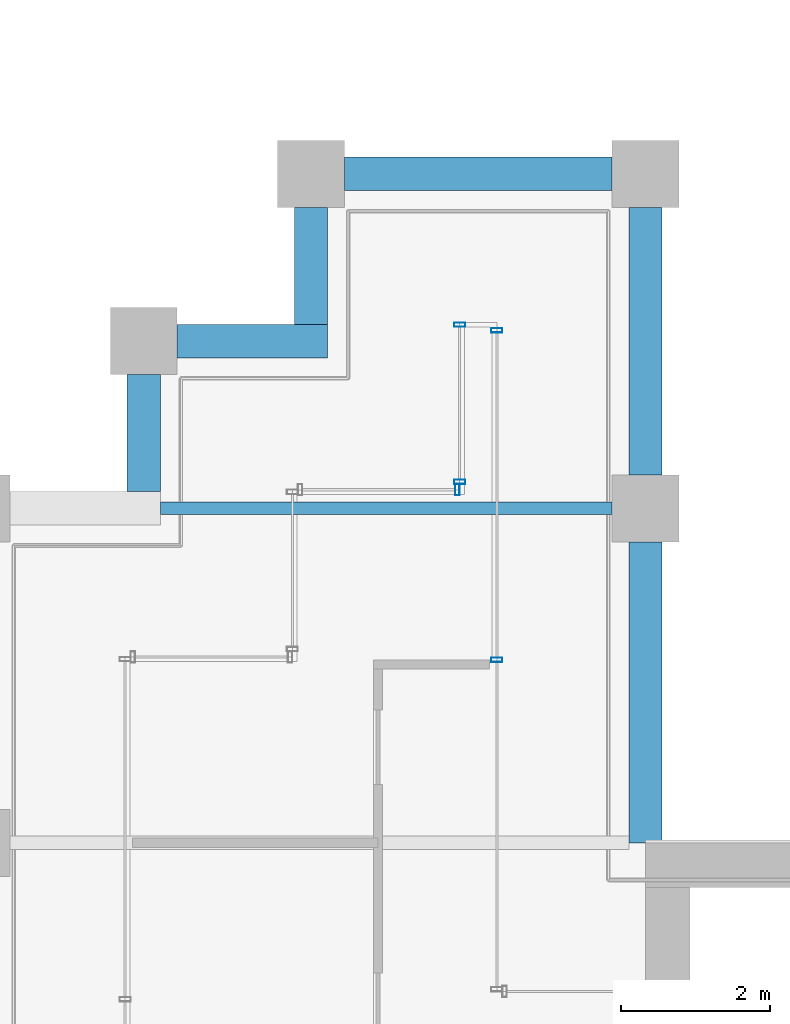
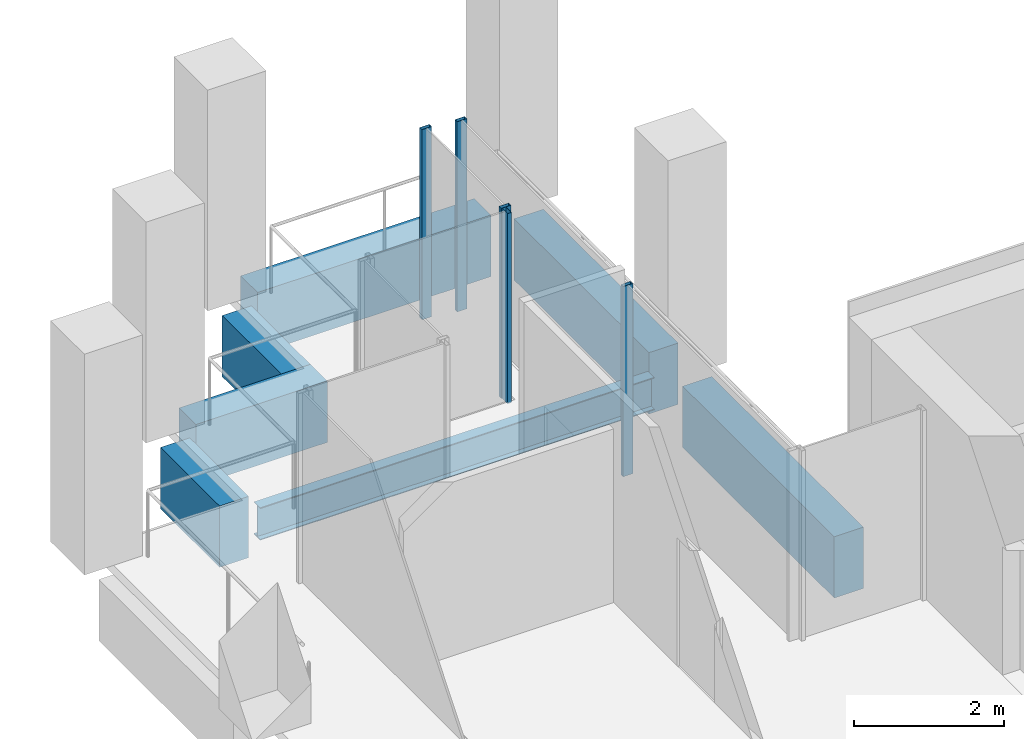
# One storey, part 33 of 40: 7 beams, 5 members, 3 elements without a shape of their own.
"""IFC4 building model written with IfcOpenShell, lengths in metres."""

from ifc_helpers import new_model, si_unit, direction, frame, origin, origin_2d, place, context, subcontext, project, spatial, rectangle, hollow_rectangle, i_section, extrude, material, material_profile, profile_set, type_object, element, aggregate, save


model = new_model("IFC4")

# Units and contexts
model_context = context("Model", 3, precision=1e-05, world=origin(), true_north=direction((0.0, 1.0)))
body_context = subcontext(model_context, "Body", "Model", "MODEL_VIEW")
ifc_project = project(units=[si_unit("LENGTHUNIT", "METRE"), si_unit("AREAUNIT", "SQUARE_METRE"), si_unit("VOLUMEUNIT", "CUBIC_METRE"), si_unit("PLANEANGLEUNIT", "RADIAN"), si_unit("MASSUNIT", "GRAM", prefix="KILO")], contexts=[model_context])

# Site, building, storey
site_placement = place(None, origin())
site = spatial("IfcSite", under=ifc_project, at=site_placement, CompositionType="ELEMENT")
building_placement = place(site_placement, origin())
building = spatial("IfcBuilding", under=site, at=building_placement, Name="Altepetl Exchange Towers", CompositionType="ELEMENT")
storey_placement = place(building_placement, frame((0.0, 0.0, 151.0)))
storey = spatial("IfcBuildingStorey", under=building, at=storey_placement, Name="L37", CompositionType="ELEMENT", Elevation=151.0)

# Beam
ifc_material_1 = material(Name="Steel S355", Category="steel")
ifc_material_profile_1 = material_profile(ifc_material_1, i_section(OverallWidth=0.166015625, OverallDepth=0.529052734375, WebThickness=0.009765625, FlangeThickness=0.013671875, at=origin_2d()), Name="W21X50")
ifc_profile_set_1 = profile_set([ifc_material_profile_1], Name="Steel S355")
beam_type_1 = type_object("IfcBeamType", Name="Floor beam W21X50", PredefinedType="BEAM", material=ifc_profile_set_1)
beam_1_placement = place(storey_placement, frame((96.97509765625, 54.0, -0.41455078125), z_axis=(1.0, 0.0, 0.0), x_axis=(0.0, 1.0, 0.0)))
element("IfcBeam", 1, at=beam_1_placement, inside=storey, type_object=beam_type_1, Name="bm:B:L37:007", PredefinedType="BEAM", context=body_context, shape_type="SweptSolid", body=[
    extrude(i_section(OverallWidth=0.166015625, OverallDepth=0.529052734375, WebThickness=0.009765625, FlangeThickness=0.013671875, at=origin_2d()), origin(), (0.0, 0.0, 1.0), 6.074951171875),
])

# Curtain wall, members
ifc_material_2 = material(Name="Aluminium 6063-T6 glazing", Category="aluminium")
curtain_wall_type = type_object("IfcCurtainWallType", Name="Loggia glazing system", PredefinedType="NOTDEFINED", material=ifc_material_2)
curtain_wall_1_placement = place(storey_placement, origin())
curtain_wall_1 = element("IfcCurtainWall", 2, at=curtain_wall_1_placement, inside=storey, type_object=curtain_wall_type, Name="CW1 run", PredefinedType="NOTDEFINED")
ifc_material_3 = material(Name="Aluminium 6063-T6", Category="aluminium")
ifc_material_profile_2 = material_profile(ifc_material_3, hollow_rectangle(XDim=0.06005859375, YDim=0.14990234375, WallThickness=0.0029296875, at=origin_2d()), Name="Mullion 60x150 aluminium")
ifc_profile_set_2 = profile_set([ifc_material_profile_2], Name="Aluminium 6063-T6")
member_type = type_object("IfcMemberType", Name="Mullion 60x150 aluminium", PredefinedType="MULLION", material=ifc_profile_set_2)
member_1_placement = place(storey_placement, frame((101.5, 51.96240234375, 0.0), z_axis=(0.0, 0.0, 1.0), x_axis=(0.0, 1.0, 0.0)))
member_1 = element("IfcMember", 3, at=member_1_placement, type_object=member_type, Name="MU1 mullion", PredefinedType="MULLION", context=body_context, shape_type="SweptSolid", body=[
    extrude(hollow_rectangle(XDim=0.06005859375, YDim=0.14990234375, WallThickness=0.0029296875, at=origin_2d()), origin(), (0.0, 0.0, 1.0), 3.10009765625),
])
member_2_placement = place(storey_placement, frame((101.5, 56.39501953125, 0.0), z_axis=(0.0, 0.0, 1.0), x_axis=(0.0, 1.0, 0.0)))
member_2 = element("IfcMember", 4, at=member_2_placement, type_object=member_type, Name="MU1 mullion", PredefinedType="MULLION", context=body_context, shape_type="SweptSolid", body=[
    extrude(hollow_rectangle(XDim=0.06005859375, YDim=0.14990234375, WallThickness=0.0029296875, at=origin_2d()), origin(), (0.0, 0.0, 1.0), 3.10009765625),
])
aggregate(curtain_wall_1, [member_1, member_2])

curtain_wall_2_placement = place(storey_placement, origin())
curtain_wall_2 = element("IfcCurtainWall", 5, at=curtain_wall_2_placement, inside=storey, type_object=curtain_wall_type, Name="CW1 run", PredefinedType="NOTDEFINED")
member_3_placement = place(storey_placement, frame((101.0, 56.469970703125, 0.0), z_axis=(0.0, 0.0, 1.0), x_axis=(0.0, -1.0, 0.0)))
member_3 = element("IfcMember", 6, at=member_3_placement, type_object=member_type, Name="MU1 mullion", PredefinedType="MULLION", context=body_context, shape_type="SweptSolid", body=[
    extrude(hollow_rectangle(XDim=0.06005859375, YDim=0.14990234375, WallThickness=0.0029296875, at=origin_2d()), origin(), (0.0, 0.0, 1.0), 3.10009765625),
])
member_4_placement = place(storey_placement, frame((101.0, 54.35498046875, 0.0), z_axis=(0.0, 0.0, 1.0), x_axis=(0.0, -1.0, 0.0)))
member_4 = element("IfcMember", 7, at=member_4_placement, type_object=member_type, Name="MU1 mullion", PredefinedType="MULLION", context=body_context, shape_type="SweptSolid", body=[
    extrude(hollow_rectangle(XDim=0.06005859375, YDim=0.14990234375, WallThickness=0.0029296875, at=origin_2d()), origin(), (0.0, 0.0, 1.0), 3.10009765625),
])
aggregate(curtain_wall_2, [member_3, member_4])

# Curtain wall, member
curtain_wall_3_placement = place(storey_placement, origin())
curtain_wall_3 = element("IfcCurtainWall", 8, at=curtain_wall_3_placement, inside=storey, type_object=curtain_wall_type, Name="CW1 run", PredefinedType="NOTDEFINED")
member_5_placement = place(storey_placement, frame((100.969970703125, 54.25, 0.0), z_axis=(0.0, 0.0, 1.0), x_axis=(-1.0, 0.0, 0.0)))
member_5 = element("IfcMember", 9, at=member_5_placement, type_object=member_type, Name="MU1 mullion", PredefinedType="MULLION", context=body_context, shape_type="SweptSolid", body=[
    extrude(hollow_rectangle(XDim=0.06005859375, YDim=0.14990234375, WallThickness=0.0029296875, at=origin_2d()), origin(), (0.0, 0.0, 1.0), 3.10009765625),
])
aggregate(curtain_wall_3, [member_5])

# Beams
ifc_material_4 = material(Name="Concrete C50/60 precast with cantera rosa facing", Category="concrete")
ifc_material_profile_3 = material_profile(ifc_material_4, rectangle(XDim=0.449951171875, YDim=1.0, at=origin_2d()), Name="450 x 1000")
ifc_profile_set_3 = profile_set([ifc_material_profile_3], Name="Concrete C50/60 precast with cantera rosa facing")
beam_type_2 = type_object("IfcBeamType", Name="Spandrel beam 450x1000 cantera rosa", PredefinedType="SPANDREL", material=ifc_profile_set_3)
beam_2_placement = place(storey_placement, frame((103.5, 49.5, -0.64990234375), z_axis=(0.0, 1.0, 0.0), x_axis=(-1.0, 0.0, 0.0)))
element("IfcBeam", 10, at=beam_2_placement, inside=storey, type_object=beam_type_2, Name="sp:B:L37:008", PredefinedType="SPANDREL", context=body_context, shape_type="SweptSolid", body=[
    extrude(rectangle(XDim=0.449951171875, YDim=1.0, at=origin_2d()), origin(), (0.0, 0.0, 1.0), 4.050048828125),
])
for number, where, z_axis, x_axis, name in (
    (11, (103.5, 54.449951171875, -0.64990234375), (0.0, 1.0, 0.0), (-1.0, 0.0, 0.0), "sp:B:L37:009"),
    (12, (103.050048828125, 58.5, -0.64990234375), (-1.0, 0.0, 0.0), (0.0, -1.0, 0.0), "sp:B:L37:010"),
):
    element("IfcBeam", number, at=place(storey_placement, frame(where, z_axis=z_axis, x_axis=x_axis)), inside=storey, type_object=beam_type_2, Name=name, PredefinedType="SPANDREL", context=body_context, shape_type="SweptSolid", body=[
        extrude(rectangle(XDim=0.449951171875, YDim=1.0, at=origin_2d()), origin(), (0.0, 0.0, 1.0), 3.60009765625),
    ])
beam_3_placement = place(storey_placement, frame((99.0, 58.050048828125, -0.64990234375), z_axis=(0.0, -1.0, 0.0), x_axis=(1.0, 0.0, 0.0)))
element("IfcBeam", 13, at=beam_3_placement, inside=storey, type_object=beam_type_2, Name="sp:B:L37:011", PredefinedType="SPANDREL", context=body_context, shape_type="SweptSolid", body=[
    extrude(rectangle(XDim=0.449951171875, YDim=1.0, at=origin_2d()), origin(), (0.0, 0.0, 1.0), 1.574951171875),
])
beam_4_placement = place(storey_placement, frame((99.22509765625, 56.25, -0.64990234375), z_axis=(-1.0, 0.0, 0.0), x_axis=(0.0, -1.0, 0.0)))
element("IfcBeam", 14, at=beam_4_placement, inside=storey, type_object=beam_type_2, Name="sp:B:L37:012", PredefinedType="SPANDREL", context=body_context, shape_type="SweptSolid", body=[
    extrude(rectangle(XDim=0.449951171875, YDim=1.0, at=origin_2d()), origin(), (0.0, 0.0, 1.0), 2.025146484375),
])
beam_5_placement = place(storey_placement, frame((96.75, 55.800048828125, -0.64990234375), z_axis=(0.0, -1.0, 0.0), x_axis=(1.0, 0.0, 0.0)))
element("IfcBeam", 15, at=beam_5_placement, inside=storey, type_object=beam_type_2, Name="sp:B:L37:013", PredefinedType="SPANDREL", context=body_context, shape_type="SweptSolid", body=[
    extrude(rectangle(XDim=0.449951171875, YDim=1.0, at=origin_2d()), origin(), (0.0, 0.0, 1.0), 1.574951171875),
])

save(model, "model.ifc")
